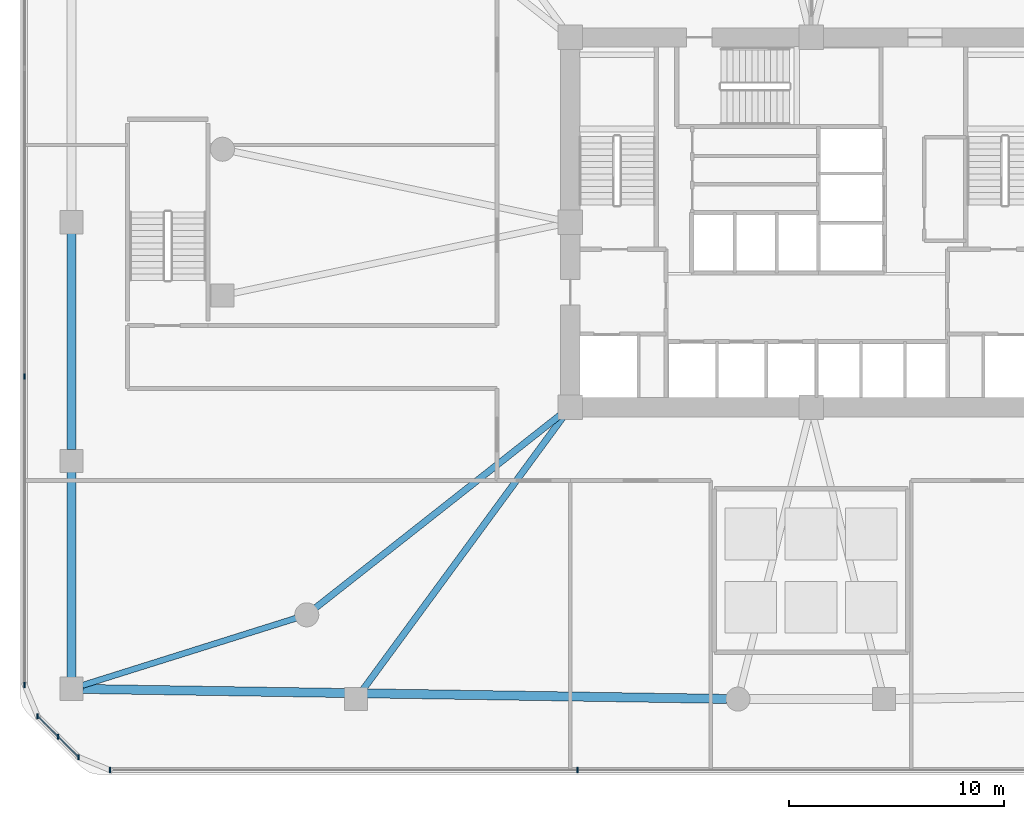
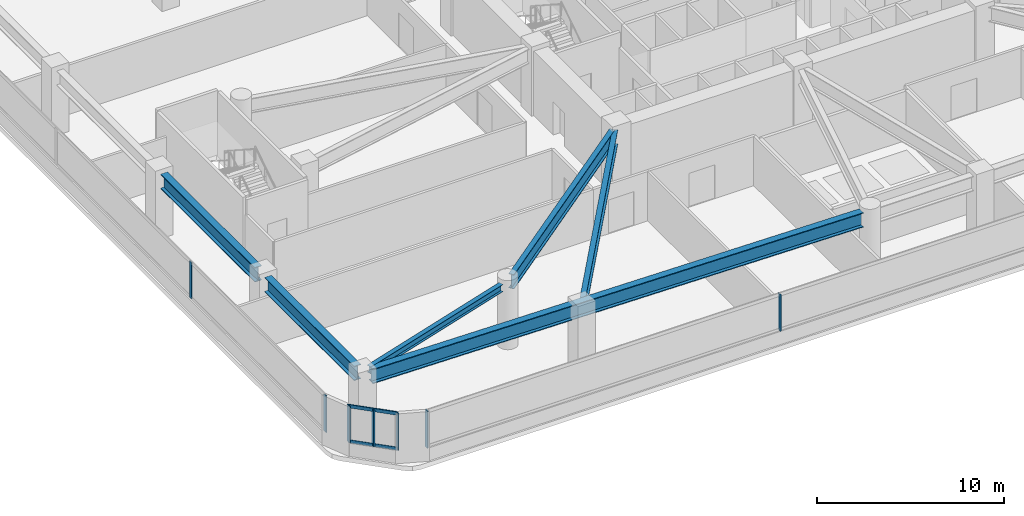
# One storey, part 2 of 21: 9 members, 6 beams, 3 elements without a shape of their own.
"""IFC4 building model written with IfcOpenShell, lengths in metres."""

from ifc_helpers import new_model, si_unit, derived_unit, direction, frame, origin, origin_2d, place, context, subcontext, project, spatial, rectangle, i_section, extrude, material, material_profile, profile_set, type_object, element, aggregate, save


model = new_model("IFC4")

# Units and contexts
model_context = context("Model", 3, precision=1e-05, world=origin(), true_north=direction((0.0, 1.0)))
body_context = subcontext(model_context, "Body", "Model", "MODEL_VIEW")
ifc_project = project(units=[si_unit("LENGTHUNIT", "METRE"), si_unit("AREAUNIT", "SQUARE_METRE"), si_unit("VOLUMEUNIT", "CUBIC_METRE"), si_unit("PLANEANGLEUNIT", "RADIAN"), si_unit("MASSUNIT", "GRAM", prefix="KILO"), derived_unit("THERMALTRANSMITTANCEUNIT", [(si_unit("POWERUNIT", "WATT"), 1), (si_unit("LENGTHUNIT", "METRE"), -2), (si_unit("THERMODYNAMICTEMPERATUREUNIT", "KELVIN"), -1)])], contexts=[model_context])

# Site, building, storey
site_placement = place(None, origin())
site = spatial("IfcSite", under=ifc_project, at=site_placement, CompositionType="ELEMENT")
building_placement = place(site_placement, origin())
building = spatial("IfcBuilding", under=site, at=building_placement, Name="Koralith Skygarden Medical Center", CompositionType="ELEMENT")
storey_placement = place(building_placement, frame((0.0, 0.0, 9.89990234375)))
storey = spatial("IfcBuildingStorey", under=building, at=storey_placement, Name="L02", CompositionType="ELEMENT", Elevation=9.89990234375)

# Curtain wall, members
ifc_material_1 = material(Name="Clear Laminated Glass", Category="glass")
curtain_wall_type = type_object("IfcCurtainWallType", Name="CW-1 Transit & Podium Acoustic Curtain Wall", PredefinedType="NOTDEFINED", material=ifc_material_1)
curtain_wall_1_placement = place(storey_placement, origin())
curtain_wall_1 = element("IfcCurtainWall", 1, at=curtain_wall_1_placement, inside=storey, type_object=curtain_wall_type, Name="Curtain Wall CW-L02-S", PredefinedType="NOTDEFINED")
ifc_material_2 = material(Name="Aluminium 6063-T6", Category="aluminium")
ifc_material_profile_1 = material_profile(ifc_material_2, rectangle(XDim=0.068115234375, YDim=0.239990234375, at=origin_2d()), Name="MUL68X240")
ifc_profile_set_1 = profile_set([ifc_material_profile_1], Name="Aluminium 6063-T6")
member_type_1 = type_object("IfcMemberType", Name="CW-1 Extruded Mullion 68x240", PredefinedType="MULLION", material=ifc_profile_set_1)
member_1_placement = place(storey_placement, frame((4.37890625, 0.419921875, 0.85009765625), z_axis=(0.0, 0.0, 1.0), x_axis=(1.0, 0.0, 0.0)))
member_1 = element("IfcMember", 2, at=member_1_placement, type_object=member_type_1, Name="CW-L02-S Mullion 1", PredefinedType="MULLION", context=body_context, shape_type="SweptSolid", body=[
    extrude(rectangle(XDim=0.068115234375, YDim=0.239990234375, at=origin_2d()), origin(), (0.0, 0.0, 1.0), 2.389892578125),
])
member_2_placement = place(storey_placement, frame((26.1259765625, 0.419921875, 0.85009765625), z_axis=(0.0, 0.0, 1.0), x_axis=(1.0, 0.0, 0.0)))
member_2 = element("IfcMember", 3, at=member_2_placement, type_object=member_type_1, Name="CW-L02-S Mullion 2", PredefinedType="MULLION", context=body_context, shape_type="SweptSolid", body=[
    extrude(rectangle(XDim=0.068115234375, YDim=0.239990234375, at=origin_2d()), origin(), (0.0, 0.0, 1.0), 2.389892578125),
])
aggregate(curtain_wall_1, [member_1, member_2])

curtain_wall_2_placement = place(storey_placement, origin())
curtain_wall_2 = element("IfcCurtainWall", 4, at=curtain_wall_2_placement, inside=storey, type_object=curtain_wall_type, Name="Curtain Wall CW-L02-W", PredefinedType="NOTDEFINED")
member_3_placement = place(storey_placement, frame((0.419921875, 18.72607421875, 0.85009765625), z_axis=(0.0, 0.0, 1.0), x_axis=(1.0, 0.0, 0.0)))
member_3 = element("IfcMember", 5, at=member_3_placement, type_object=member_type_1, Name="CW-L02-W Mullion 3", PredefinedType="MULLION", context=body_context, shape_type="SweptSolid", body=[
    extrude(rectangle(XDim=0.068115234375, YDim=0.239990234375, at=origin_2d()), origin(), (0.0, 0.0, 1.0), 2.389892578125),
])
member_4_placement = place(storey_placement, frame((0.419921875, 4.37890625, 0.85009765625), z_axis=(0.0, 0.0, 1.0), x_axis=(1.0, 0.0, 0.0)))
member_4 = element("IfcMember", 6, at=member_4_placement, type_object=member_type_1, Name="CW-L02-W Mullion 4", PredefinedType="MULLION", context=body_context, shape_type="SweptSolid", body=[
    extrude(rectangle(XDim=0.068115234375, YDim=0.239990234375, at=origin_2d()), origin(), (0.0, 0.0, 1.0), 2.389892578125),
])
aggregate(curtain_wall_2, [member_3, member_4])

curtain_wall_3_placement = place(storey_placement, origin())
curtain_wall_3 = element("IfcCurtainWall", 7, at=curtain_wall_3_placement, inside=storey, type_object=curtain_wall_type, Name="Curtain Wall CW-L02-SW", PredefinedType="NOTDEFINED")
member_5_placement = place(storey_placement, frame((1.02099609375, 2.927978515625, 0.85009765625), z_axis=(0.0, 0.0, 1.0), x_axis=(1.0, 0.0, 0.0)))
member_5 = element("IfcMember", 8, at=member_5_placement, type_object=member_type_1, Name="CW-L02-SW Mullion 1", PredefinedType="MULLION", context=body_context, shape_type="SweptSolid", body=[
    extrude(rectangle(XDim=0.068115234375, YDim=0.239990234375, at=origin_2d()), origin(), (0.0, 0.0, 1.0), 2.389892578125),
])
member_6_placement = place(storey_placement, frame((1.97412109375, 1.97412109375, 0.85009765625), z_axis=(0.0, 0.0, 1.0), x_axis=(1.0, 0.0, 0.0)))
member_6 = element("IfcMember", 9, at=member_6_placement, type_object=member_type_1, Name="CW-L02-SW Mullion 2", PredefinedType="MULLION", context=body_context, shape_type="SweptSolid", body=[
    extrude(rectangle(XDim=0.068115234375, YDim=0.239990234375, at=origin_2d()), origin(), (0.0, 0.0, 1.0), 2.389892578125),
])
member_7_placement = place(storey_placement, frame((2.927978515625, 1.02099609375, 0.85009765625), z_axis=(0.0, 0.0, 1.0), x_axis=(1.0, 0.0, 0.0)))
member_7 = element("IfcMember", 10, at=member_7_placement, type_object=member_type_1, Name="CW-L02-SW Mullion 3", PredefinedType="MULLION", context=body_context, shape_type="SweptSolid", body=[
    extrude(rectangle(XDim=0.068115234375, YDim=0.239990234375, at=origin_2d()), origin(), (0.0, 0.0, 1.0), 2.389892578125),
])
ifc_material_profile_2 = material_profile(ifc_material_2, rectangle(XDim=0.06298828125, YDim=0.216064453125, at=origin_2d()), Name="TRN63X216")
ifc_profile_set_2 = profile_set([ifc_material_profile_2], Name="Aluminium 6063-T6")
member_type_2 = type_object("IfcMemberType", Name="CW-1 Thermal Transom 63x216", PredefinedType="USERDEFINED", material=ifc_profile_set_2)
member_8_placement = place(storey_placement, frame((1.02099609375, 2.927978515625, 0.900146484375), z_axis=(0.707106781187, -0.707106781187, 0.0), x_axis=(0.707106781187, 0.707106781187, 0.0)))
member_8 = element("IfcMember", 11, at=member_8_placement, type_object=member_type_2, Name="CW-L02-SW Transom 1", ObjectType="TRANSOM", PredefinedType="USERDEFINED", context=body_context, shape_type="SweptSolid", body=[
    extrude(rectangle(XDim=0.06298828125, YDim=0.216064453125, at=origin_2d()), origin(), (0.0, 0.0, 1.0), 2.69677734375),
])
member_9_placement = place(storey_placement, frame((1.02099609375, 2.927978515625, 3.190185546875), z_axis=(0.707106781187, -0.707106781187, 0.0), x_axis=(0.707106781187, 0.707106781187, 0.0)))
member_9 = element("IfcMember", 12, at=member_9_placement, type_object=member_type_2, Name="CW-L02-SW Transom 2", ObjectType="TRANSOM", PredefinedType="USERDEFINED", context=body_context, shape_type="SweptSolid", body=[
    extrude(rectangle(XDim=0.06298828125, YDim=0.216064453125, at=origin_2d()), origin(), (0.0, 0.0, 1.0), 2.69677734375),
])
aggregate(curtain_wall_3, [member_5, member_6, member_7, member_8, member_9])

# Beams
ifc_material_3 = material(Name="Steel ASTM A992 Grade 50", Category="steel")
ifc_material_profile_3 = material_profile(ifc_material_3, i_section(OverallWidth=0.423095703125, OverallDepth=0.947998046875, WebThickness=0.02392578125, FlangeThickness=0.042724609375, at=origin_2d()), Name="W36X302")
ifc_profile_set_3 = profile_set([ifc_material_profile_3], Name="Steel ASTM A992 Grade 50")
beam_type_1 = type_object("IfcBeamType", Name="Podium Concourse Girder W36X302", PredefinedType="BEAM", material=ifc_profile_set_3)
beam_1_placement = place(storey_placement, frame((2.60009765625, 14.280029296875, 3.72607421875), z_axis=(0.0, -1.0, 0.0), x_axis=(1.0, 0.0, 0.0)))
element("IfcBeam", 13, at=beam_1_placement, inside=storey, type_object=beam_type_1, Name="L02 Podium Perimeter Beam PB-01", PredefinedType="BEAM", context=body_context, shape_type="SweptSolid", body=[
    extrude(i_section(OverallWidth=0.423095703125, OverallDepth=0.947998046875, WebThickness=0.02392578125, FlangeThickness=0.042724609375, at=origin_2d()), origin(), (0.0, 0.0, 1.0), 9.56005859375),
])
beam_2_placement = place(storey_placement, frame((3.1201171875, 4.19189453125, 3.72607421875), z_axis=(0.999880161393, -0.015481048165, 0.0), x_axis=(0.015481048165, 0.999880161393, 0.0)))
element("IfcBeam", 14, at=beam_2_placement, inside=storey, type_object=beam_type_1, Name="L02 Podium Perimeter Beam PB-02", PredefinedType="BEAM", context=body_context, shape_type="SweptSolid", body=[
    extrude(i_section(OverallWidth=0.423095703125, OverallDepth=0.947998046875, WebThickness=0.02392578125, FlangeThickness=0.042724609375, at=origin_2d()), origin(), (0.0, 0.0, 1.0), 29.963623046875),
])
beam_3_placement = place(storey_placement, frame((2.60009765625, 25.3798828125, 3.72607421875), z_axis=(0.0, -1.0, 0.0), x_axis=(1.0, 0.0, 0.0)))
element("IfcBeam", 15, at=beam_3_placement, inside=storey, type_object=beam_type_1, Name="L02 Podium Perimeter Beam PB-14", PredefinedType="BEAM", context=body_context, shape_type="SweptSolid", body=[
    extrude(i_section(OverallWidth=0.423095703125, OverallDepth=0.947998046875, WebThickness=0.02392578125, FlangeThickness=0.042724609375, at=origin_2d()), origin(), (0.0, 0.0, 1.0), 10.059814453125),
])
ifc_material_profile_4 = material_profile(ifc_material_3, i_section(OverallWidth=0.281982421875, OverallDepth=0.467041015625, WebThickness=0.01220703125, FlangeThickness=0.01953125, at=origin_2d()), Name="W18X86")
ifc_profile_set_4 = profile_set([ifc_material_profile_4], Name="Steel ASTM A992 Grade 50")
beam_type_2 = type_object("IfcBeamType", Name="Podium Floor Joist W18X86", PredefinedType="JOIST", material=ifc_profile_set_4)
beam_4_placement = place(storey_placement, frame((13.0439453125, 7.48388671875, 3.967041015625), z_axis=(-0.953954869198, -0.299950175084, 0.0), x_axis=(0.299950175084, -0.953954869198, 0.0)))
element("IfcBeam", 16, at=beam_4_placement, inside=storey, type_object=beam_type_2, Name="L02 Podium Floor Joist PJ-01", PredefinedType="JOIST", context=body_context, shape_type="SweptSolid", body=[
    extrude(i_section(OverallWidth=0.281982421875, OverallDepth=0.467041015625, WebThickness=0.01220703125, FlangeThickness=0.01953125, at=origin_2d()), origin(), (0.0, 0.0, 1.0), 10.42822265625),
])
ifc_material_profile_5 = material_profile(ifc_material_3, i_section(OverallWidth=0.30810546875, OverallDepth=0.943115234375, WebThickness=0.022216796875, FlangeThickness=0.039794921875, at=origin_2d()), Name="W36X232")
ifc_profile_set_5 = profile_set([ifc_material_profile_5], Name="Steel ASTM A992 Grade 50")
beam_type_3 = type_object("IfcBeamType", Name="Surgical Platform Girder W36X232", PredefinedType="BEAM", material=ifc_profile_set_5)
beam_5_placement = place(storey_placement, frame((25.360107421875, 16.952880859375, 3.72802734375), z_axis=(-0.785504791859, -0.618855574401, 0.0), x_axis=(0.618855574401, -0.785504791859, 0.0)))
element("IfcBeam", 17, at=beam_5_placement, inside=storey, type_object=beam_type_3, Name="L02 Podium Radial Girder PRG-02", PredefinedType="BEAM", context=body_context, shape_type="SweptSolid", body=[
    extrude(i_section(OverallWidth=0.30810546875, OverallDepth=0.943115234375, WebThickness=0.022216796875, FlangeThickness=0.039794921875, at=origin_2d()), origin(), (0.0, 0.0, 1.0), 14.5283203125),
])
beam_6_placement = place(storey_placement, frame((25.468994140625, 16.84912109375, 3.72802734375), z_axis=(-0.59170530555, -0.806154347122, 0.0), x_axis=(0.806154347122, -0.59170530555, 0.0)))
element("IfcBeam", 18, at=beam_6_placement, inside=storey, type_object=beam_type_3, Name="L02 Podium Radial Girder PRG-03", PredefinedType="BEAM", context=body_context, shape_type="SweptSolid", body=[
    extrude(i_section(OverallWidth=0.30810546875, OverallDepth=0.943115234375, WebThickness=0.022216796875, FlangeThickness=0.039794921875, at=origin_2d()), origin(), (0.0, 0.0, 1.0), 15.766357421875),
])

save(model, "model.ifc")
